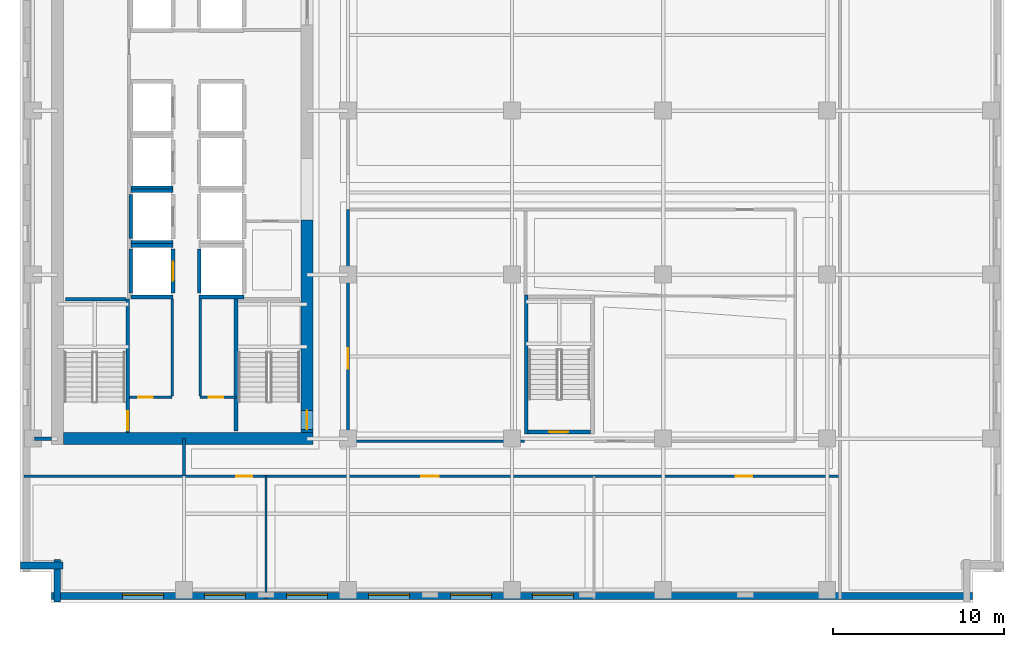
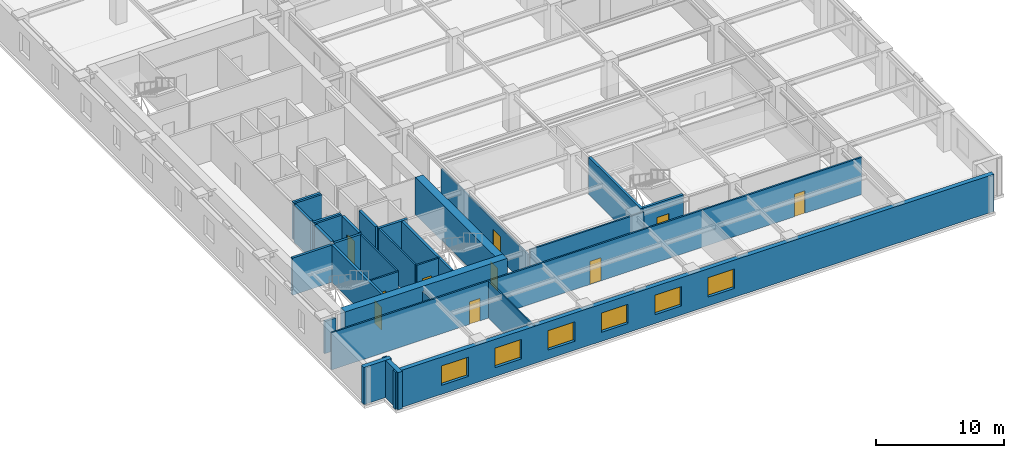
# One storey, part 3 of 12: 30 walls, 10 doors, 6 windows, 16 openings.
"""IFC4 building model written with IfcOpenShell, lengths in metres."""

from ifc_helpers import new_model, si_unit, direction, frame, frame_2d, origin, place, context, subcontext, project, spatial, rectangle, extrude, material, layer, layer_set, type_object, element, fill, save


model = new_model("IFC4")

# Units and contexts
model_context = context("Model", 3, precision=1e-05, world=origin(), true_north=direction((0.0, 1.0)))
body_context = subcontext(model_context, "Body", "Model", "MODEL_VIEW")
ifc_project = project(units=[si_unit("LENGTHUNIT", "METRE"), si_unit("AREAUNIT", "SQUARE_METRE"), si_unit("VOLUMEUNIT", "CUBIC_METRE"), si_unit("PLANEANGLEUNIT", "RADIAN"), si_unit("MASSUNIT", "GRAM", prefix="KILO")], contexts=[model_context])

# Site, building, storey
site_placement = place(None, origin())
site = spatial("IfcSite", under=ifc_project, at=site_placement, CompositionType="ELEMENT")
building_placement = place(site_placement, origin())
building = spatial("IfcBuilding", under=site, at=building_placement, Name="Norrvale University Quadrangle", CompositionType="ELEMENT")
storey_placement = place(building_placement, frame((0.0, 0.0, 143.199951171875)))
storey = spatial("IfcBuildingStorey", under=building, at=storey_placement, Name="L36", CompositionType="ELEMENT", Elevation=143.199951171875)

# Wall
ifc_material_1 = material(Name="Concrete C60/75", Category="concrete")
ifc_layer_1 = layer(ifc_material_1, 0.699951171875, Name="Concrete C60/75")
ifc_layer_set_1 = layer_set([ifc_layer_1], Name="Concrete C60/75")
wall_type_1 = type_object("IfcWallType", Name="Wall Core 700", PredefinedType="SHEAR", material=ifc_layer_set_1)
wall_1_placement = place(storey_placement, frame((2.550048828125, 9.60009765625, 0.0), z_axis=(0.0, 0.0, 1.0), x_axis=(1.0, 0.0, 0.0)))
element("IfcWall", 1, at=wall_1_placement, inside=storey, type_object=wall_type_1, Name="Tower Core Shear Wall L36-S", PredefinedType="SHEAR", context=body_context, shape_type="SweptSolid", body=[
    extrude(rectangle(XDim=14.599853515625, YDim=0.699951171875, at=frame_2d((7.2998046875, 0.0))), origin(), (0.0, 0.0, 1.0), 3.5400390625),
])

# Wall, opening, door
wall_2_placement = place(storey_placement, frame((16.800048828125, 9.949951171875, 0.0), z_axis=(0.0, 0.0, 1.0), x_axis=(0.0, 1.0, 0.0)))
wall_2 = element("IfcWall", 2, at=wall_2_placement, inside=storey, type_object=wall_type_1, Name="Tower Core Shear Wall L36-E1", PredefinedType="SHEAR", context=body_context, shape_type="SweptSolid", body=[
    extrude(rectangle(XDim=12.449951171875, YDim=0.699951171875, at=frame_2d((6.22509765625, 0.0))), origin(), (0.0, 0.0, 1.0), 3.5400390625),
])
opening_1_placement = place(wall_2_placement, frame((0.18994140625, 0.0, 0.0)))
opening_1 = element("IfcOpeningElement", 3, at=opening_1_placement, cuts=wall_2, Name="Opening D02", PredefinedType="OPENING", context=body_context, shape_type="SweptSolid", body=[
    extrude(rectangle(XDim=1.10009765625, YDim=2.199951171875, at=frame_2d((0.550048828125, 1.10009765625))), frame((0.0, 0.362060546875, 0.0), z_axis=(0.0, -1.0, 0.0), x_axis=(1.0, 0.0, 0.0)), (0.0, 0.0, 1.0), 0.723876953125),
])
ifc_material_2 = material(Name="Hollow Steel 350W Fire Door", Category="steel")
door_type_1 = type_object("IfcDoorType", Name="Door Stair Exit 1100x2200", OperationType="NOTDEFINED", PredefinedType="DOOR", material=ifc_material_2)
door_1_placement = place(opening_1_placement, origin())
door_1 = element("IfcDoor", 4, at=door_1_placement, inside=storey, type_object=door_type_1, Name="Door Stair Exit 1100x2200 DR-L36-ST03", OperationType="SINGLE_SWING_LEFT", OverallHeight=2.199951171875, OverallWidth=1.10009765625, PredefinedType="DOOR", context=body_context, shape_type="SweptSolid", body=[
    extrude(rectangle(XDim=1.10009765625, YDim=2.199951171875, at=frame_2d((0.550048828125, 1.10009765625))), frame((0.0, 0.02490234375, 0.0), z_axis=(0.0, -1.0, 0.0), x_axis=(1.0, 0.0, 0.0)), (0.0, 0.0, 1.0), 0.050048828125),
])
fill(opening_1, door_1)

# Wall
ifc_material_3 = material(Name="Standard Academic Gypsum Partition")
ifc_layer_2 = layer(ifc_material_3, 0.125, Name="Standard Academic Gypsum Partition")
ifc_layer_set_2 = layer_set([ifc_layer_2], Name="Standard Academic Gypsum Partition")
wall_type_2 = type_object("IfcWallType", Name="Wall Gypsum Academic 125", PredefinedType="PARTITIONING", material=ifc_layer_set_2)
wall_3_placement = place(storey_placement, frame((14.39990234375, 0.219970703125, 0.0), z_axis=(0.0, 0.0, 1.0), x_axis=(0.0, 1.0, 0.0)))
element("IfcWall", 5, at=wall_3_placement, inside=storey, type_object=wall_type_2, Name="Interior Partition WL-L36-SP01", PredefinedType="PARTITIONING", context=body_context, shape_type="SweptSolid", body=[
    extrude(rectangle(XDim=7.179931640625, YDim=0.125, at=frame_2d((3.58984375, 0.0))), origin(), (0.0, 0.0, 1.0), 3.5400390625),
])

# Wall, opening, door
ifc_material_4 = material(Name="Fire-Rated Gypsum Stud Partition")
ifc_layer_3 = layer(ifc_material_4, 0.14990234375, Name="Fire-Rated Gypsum Stud Partition")
ifc_layer_set_3 = layer_set([ifc_layer_3], Name="Fire-Rated Gypsum Stud Partition")
wall_type_3 = type_object("IfcWallType", Name="Wall Gypsum Corridor 150", PredefinedType="PARTITIONING", material=ifc_layer_set_3)
wall_4_placement = place(storey_placement, frame((6.419921875, 12.02001953125, 0.0), z_axis=(0.0, 0.0, 1.0), x_axis=(1.0, 0.0, 0.0)))
wall_4 = element("IfcWall", 6, at=wall_4_placement, inside=storey, type_object=wall_type_3, Name="Interior Partition WL-L36-SC-NL", PredefinedType="PARTITIONING", context=body_context, shape_type="SweptSolid", body=[
    extrude(rectangle(XDim=2.47998046875, YDim=0.14990234375, at=frame_2d((1.239990234375, 0.0))), origin(), (0.0, 0.0, 1.0), 3.5400390625),
])
opening_2_placement = place(wall_4_placement, frame((0.5, 0.0, 0.0)))
opening_2 = element("IfcOpeningElement", 7, at=opening_2_placement, cuts=wall_4, Name="Opening D10", PredefinedType="OPENING", context=body_context, shape_type="SweptSolid", body=[
    extrude(rectangle(XDim=0.85009765625, YDim=2.10009765625, at=frame_2d((0.425048828125, 1.050048828125))), frame((0.0, 0.0869140625, 0.0), z_axis=(0.0, -1.0, 0.0), x_axis=(1.0, 0.0, 0.0)), (0.0, 0.0, 1.0), 0.173828125),
])
ifc_material_5 = material(Name="Hollow Steel 350W Riser Fire Door", Category="steel")
door_type_2 = type_object("IfcDoorType", Name="Door Riser 850x2100", OperationType="NOTDEFINED", PredefinedType="DOOR", material=ifc_material_5)
door_2_placement = place(opening_2_placement, origin())
door_2 = element("IfcDoor", 8, at=door_2_placement, inside=storey, type_object=door_type_2, Name="Door Riser 850x2100 DR-L36-ELEC", OperationType="SINGLE_SWING_LEFT", OverallHeight=2.10009765625, OverallWidth=0.85009765625, PredefinedType="DOOR", context=body_context, shape_type="SweptSolid", body=[
    extrude(rectangle(XDim=0.85009765625, YDim=2.10009765625, at=frame_2d((0.425048828125, 1.050048828125))), frame((0.0, 0.02490234375, 0.0), z_axis=(0.0, -1.0, 0.0), x_axis=(1.0, 0.0, 0.0)), (0.0, 0.0, 1.0), 0.050048828125),
])
fill(opening_2, door_2)

wall_5_placement = place(storey_placement, frame((10.550048828125, 12.02001953125, 0.0), z_axis=(0.0, 0.0, 1.0), x_axis=(1.0, 0.0, 0.0)))
wall_5 = element("IfcWall", 9, at=wall_5_placement, inside=storey, type_object=wall_type_3, Name="Interior Partition WL-L36-SC-NR", PredefinedType="PARTITIONING", context=body_context, shape_type="SweptSolid", body=[
    extrude(rectangle(XDim=2.079833984375, YDim=0.14990234375, at=frame_2d((1.0400390625, 0.0))), origin(), (0.0, 0.0, 1.0), 3.5400390625),
])
opening_3_placement = place(wall_5_placement, frame((0.5, 0.0, 0.0)))
opening_3 = element("IfcOpeningElement", 10, at=opening_3_placement, cuts=wall_5, Name="Opening D10", PredefinedType="OPENING", context=body_context, shape_type="SweptSolid", body=[
    extrude(rectangle(XDim=0.85009765625, YDim=2.10009765625, at=frame_2d((0.425048828125, 1.050048828125))), frame((0.0, 0.0869140625, 0.0), z_axis=(0.0, -1.0, 0.0), x_axis=(1.0, 0.0, 0.0)), (0.0, 0.0, 1.0), 0.173828125),
])
door_3_placement = place(opening_3_placement, origin())
door_3 = element("IfcDoor", 11, at=door_3_placement, inside=storey, type_object=door_type_2, Name="Door Riser 850x2100 DR-L36-IDF", OperationType="SINGLE_SWING_RIGHT", OverallHeight=2.10009765625, OverallWidth=0.85009765625, PredefinedType="DOOR", context=body_context, shape_type="SweptSolid", body=[
    extrude(rectangle(XDim=0.85009765625, YDim=2.10009765625, at=frame_2d((0.425048828125, 1.050048828125))), frame((0.0, 0.02490234375, 0.0), z_axis=(0.0, -1.0, 0.0), x_axis=(1.0, 0.0, 0.0)), (0.0, 0.0, 1.0), 0.050048828125),
])
fill(opening_3, door_3)

# Walls
for number, where, z_axis, x_axis, name in (
    (12, (8.89990234375, 12.094970703125, 0.0), (0.0, 0.0, 1.0), (0.0, 1.0, 0.0), "Interior Partition WL-L36-SC-WL"),
    (13, (10.550048828125, 12.094970703125, 0.0), (0.0, 0.0, 1.0), (0.0, 1.0, 0.0), "Interior Partition WL-L36-SC-WR"),
):
    element("IfcWall", number, at=place(storey_placement, frame(where, z_axis=z_axis, x_axis=x_axis)), inside=storey, type_object=wall_type_3, Name=name, PredefinedType="PARTITIONING", context=body_context, shape_type="SweptSolid", body=[
        extrude(rectangle(XDim=5.679931640625, YDim=0.14990234375, at=frame_2d((2.83984375, 0.0))), origin(), (0.0, 0.0, 1.0), 3.5400390625),
    ])
wall_6_placement = place(storey_placement, frame((9.60009765625, 7.39990234375, 0.0), z_axis=(0.0, 0.0, 1.0), x_axis=(0.0, 1.0, 0.0)))
element("IfcWall", 14, at=wall_6_placement, inside=storey, type_object=wall_type_3, Name="Interior Partition WL-L36-CSW-END", PredefinedType="PARTITIONING", context=body_context, shape_type="SweptSolid", body=[
    extrude(rectangle(XDim=2.2001953125, YDim=0.14990234375, at=frame_2d((1.10009765625, 0.0))), origin(), (0.0, 0.0, 1.0), 3.071044921875),
])

# Wall, openings, doors
wall_7_placement = place(storey_placement, frame((0.219970703125, 7.39990234375, 0.0), z_axis=(0.0, 0.0, 1.0), x_axis=(1.0, 0.0, 0.0)))
wall_7 = element("IfcWall", 15, at=wall_7_placement, inside=storey, type_object=wall_type_3, Name="Interior Partition WL-L36-SCW", PredefinedType="PARTITIONING", context=body_context, shape_type="SweptSolid", body=[
    extrude(rectangle(XDim=47.780029296875, YDim=0.14990234375, at=frame_2d((23.89013671875, 0.0))), origin(), (0.0, 0.0, 1.0), 3.5400390625),
])
opening_4_placement = place(wall_7_placement, frame((12.429931640625, 0.0, 0.0)))
opening_4 = element("IfcOpeningElement", 16, at=opening_4_placement, cuts=wall_7, Name="Opening D07", PredefinedType="OPENING", context=body_context, shape_type="SweptSolid", body=[
    extrude(rectangle(XDim=0.949951171875, YDim=2.14990234375, at=frame_2d((0.47509765625, 1.074951171875))), frame((0.0, 0.0869140625, 0.0), z_axis=(0.0, -1.0, 0.0), x_axis=(1.0, 0.0, 0.0)), (0.0, 0.0, 1.0), 0.173828125),
])
opening_5_placement = place(wall_7_placement, frame((23.280029296875, 0.0, 0.0)))
opening_5 = element("IfcOpeningElement", 17, at=opening_5_placement, cuts=wall_7, Name="Opening D04", PredefinedType="OPENING", context=body_context, shape_type="SweptSolid", body=[
    extrude(rectangle(XDim=1.0, YDim=2.199951171875, at=frame_2d((0.5, 1.10009765625))), frame((0.0, 0.0869140625, 0.0), z_axis=(0.0, -1.0, 0.0), x_axis=(1.0, 0.0, 0.0)), (0.0, 0.0, 1.0), 0.173828125),
])
opening_6_placement = place(wall_7_placement, frame((41.679931640625, 0.0, 0.0)))
opening_6 = element("IfcOpeningElement", 18, at=opening_6_placement, cuts=wall_7, Name="Opening D07", PredefinedType="OPENING", context=body_context, shape_type="SweptSolid", body=[
    extrude(rectangle(XDim=0.949951171875, YDim=2.14990234375, at=frame_2d((0.47509765625, 1.074951171875))), frame((0.0, 0.0869140625, 0.0), z_axis=(0.0, -1.0, 0.0), x_axis=(1.0, 0.0, 0.0)), (0.0, 0.0, 1.0), 0.173828125),
])
ifc_material_6 = material(Name="Solid-Core Oak Fire Door", Category="wood")
door_type_3 = type_object("IfcDoorType", Name="Door Corridor 1000x2200", OperationType="NOTDEFINED", PredefinedType="DOOR", material=ifc_material_6)
door_4_placement = place(opening_5_placement, origin())
door_4 = element("IfcDoor", 19, at=door_4_placement, inside=storey, type_object=door_type_3, Name="Door Corridor 1000x2200 DR-L36-S02", OperationType="SINGLE_SWING_RIGHT", OverallHeight=2.199951171875, OverallWidth=1.0, PredefinedType="DOOR", context=body_context, shape_type="SweptSolid", body=[
    extrude(rectangle(XDim=1.0, YDim=2.199951171875, at=frame_2d((0.5, 1.10009765625))), frame((0.0, 0.02490234375, 0.0), z_axis=(0.0, -1.0, 0.0), x_axis=(1.0, 0.0, 0.0)), (0.0, 0.0, 1.0), 0.050048828125),
])
fill(opening_5, door_4)
ifc_material_7 = material(Name="Solid-Core Maple Door", Category="wood")
door_type_4 = type_object("IfcDoorType", Name="Door Office 950x2150", OperationType="NOTDEFINED", PredefinedType="DOOR", material=ifc_material_7)
door_5_placement = place(opening_4_placement, origin())
door_5 = element("IfcDoor", 20, at=door_5_placement, inside=storey, type_object=door_type_4, Name="Door Office 950x2150 DR-L36-S01", OperationType="SINGLE_SWING_LEFT", OverallHeight=2.14990234375, OverallWidth=0.949951171875, PredefinedType="DOOR", context=body_context, shape_type="SweptSolid", body=[
    extrude(rectangle(XDim=0.949951171875, YDim=2.14990234375, at=frame_2d((0.47509765625, 1.074951171875))), frame((0.0, 0.02490234375, 0.0), z_axis=(0.0, -1.0, 0.0), x_axis=(1.0, 0.0, 0.0)), (0.0, 0.0, 1.0), 0.050048828125),
])
fill(opening_4, door_5)
door_6_placement = place(opening_6_placement, origin())
door_6 = element("IfcDoor", 21, at=door_6_placement, inside=storey, type_object=door_type_4, Name="Door Office 950x2150 DR-L36-S03", OperationType="SINGLE_SWING_LEFT", OverallHeight=2.14990234375, OverallWidth=0.949951171875, PredefinedType="DOOR", context=body_context, shape_type="SweptSolid", body=[
    extrude(rectangle(XDim=0.949951171875, YDim=2.14990234375, at=frame_2d((0.47509765625, 1.074951171875))), frame((0.0, 0.02490234375, 0.0), z_axis=(0.0, -1.0, 0.0), x_axis=(1.0, 0.0, 0.0)), (0.0, 0.0, 1.0), 0.050048828125),
])
fill(opening_6, door_6)

# Wall, opening, door
wall_8_placement = place(storey_placement, frame((19.199951171875, 9.449951171875, 0.0), z_axis=(0.0, 0.0, 1.0), x_axis=(0.0, 1.0, 0.0)))
wall_8 = element("IfcWall", 22, at=wall_8_placement, inside=storey, type_object=wall_type_3, Name="Interior Partition WL-L36-ISLW", PredefinedType="PARTITIONING", context=body_context, shape_type="SweptSolid", body=[
    extrude(rectangle(XDim=13.550048828125, YDim=0.14990234375, at=frame_2d((6.77490234375, 0.0))), origin(), (0.0, 0.0, 1.0), 3.071044921875),
])
opening_7_placement = place(wall_8_placement, frame((4.25, 0.0, 0.0)))
opening_7 = element("IfcOpeningElement", 23, at=opening_7_placement, cuts=wall_8, Name="Opening D05", PredefinedType="OPENING", context=body_context, shape_type="SweptSolid", body=[
    extrude(rectangle(XDim=1.199951171875, YDim=2.199951171875, at=frame_2d((0.60009765625, 1.10009765625))), frame((0.0, 0.0869140625, 0.0), z_axis=(0.0, -1.0, 0.0), x_axis=(1.0, 0.0, 0.0)), (0.0, 0.0, 1.0), 0.173828125),
])
ifc_material_8 = material(Name="Acoustic Oak Classroom Door", Category="wood")
door_type_5 = type_object("IfcDoorType", Name="Door Classroom 1200x2200", OperationType="NOTDEFINED", PredefinedType="DOOR", material=ifc_material_8)
door_7_placement = place(opening_7_placement, origin())
door_7 = element("IfcDoor", 24, at=door_7_placement, inside=storey, type_object=door_type_5, Name="Door Classroom 1200x2200 DR-L36-IW1", OperationType="SINGLE_SWING_LEFT", OverallHeight=2.199951171875, OverallWidth=1.199951171875, PredefinedType="DOOR", context=body_context, shape_type="SweptSolid", body=[
    extrude(rectangle(XDim=1.199951171875, YDim=2.199951171875, at=frame_2d((0.60009765625, 1.10009765625))), frame((0.0, 0.02490234375, 0.0), z_axis=(0.0, -1.0, 0.0), x_axis=(1.0, 0.0, 0.0)), (0.0, 0.0, 1.0), 0.050048828125),
])
fill(opening_7, door_7)

# Walls
wall_9_placement = place(storey_placement, frame((19.280029296875, 9.449951171875, 0.0), z_axis=(0.0, 0.0, 1.0), x_axis=(1.0, 0.0, 0.0)))
element("IfcWall", 25, at=wall_9_placement, inside=storey, type_object=wall_type_3, Name="Interior Partition WL-L36-ISLS1", PredefinedType="PARTITIONING", context=body_context, shape_type="SweptSolid", body=[
    extrude(rectangle(XDim=10.244873046875, YDim=0.14990234375, at=frame_2d((5.12255859375, 0.0))), origin(), (0.0, 0.0, 1.0), 3.5400390625),
])
ifc_material_9 = material(Name="Concrete Blockwork 20 MPa Rated Wall", Category="masonry")
ifc_layer_4 = layer(ifc_material_9, 0.199951171875, Name="Concrete Blockwork 20 MPa Rated Wall")
ifc_layer_set_4 = layer_set([ifc_layer_4], Name="Concrete Blockwork 20 MPa Rated Wall")
wall_type_4 = type_object("IfcWallType", Name="Wall Lobby 200", PredefinedType="SOLIDWALL", material=ifc_layer_set_4)
wall_10_placement = place(storey_placement, frame((0.85009765625, 9.60009765625, 0.0), z_axis=(0.0, 0.0, 1.0), x_axis=(1.0, 0.0, 0.0)))
element("IfcWall", 26, at=wall_10_placement, inside=storey, type_object=wall_type_4, Name="Interior Partition WL-L36-CWRET-S", PredefinedType="SOLIDWALL", context=body_context, shape_type="SweptSolid", body=[
    extrude(rectangle(XDim=0.994873046875, YDim=0.199951171875, at=frame_2d((0.49755859375, 0.0))), origin(), (0.0, 0.0, 1.0), 3.071044921875),
])

# Wall, openings, windows
ifc_material_10 = material(Name="Red Manganese Brick Masonry", Category="masonry")
ifc_layer_5 = layer(ifc_material_10, 0.39990234375, Name="Red Manganese Brick Masonry")
ifc_layer_set_5 = layer_set([ifc_layer_5], Name="Red Manganese Brick Masonry")
wall_type_5 = type_object("IfcWallType", Name="Wall Red Brick 400", PredefinedType="SOLIDWALL", material=ifc_layer_set_5)
wall_11_placement = place(storey_placement, frame((1.840087890625, 0.3798828125, 0.0), z_axis=(0.0, 0.0, 1.0), x_axis=(1.0, 0.0, 0.0)))
wall_11 = element("IfcWall", 27, at=wall_11_placement, inside=storey, type_object=wall_type_5, Name="Exterior Brick Facade Wall L36-01.1", PredefinedType="SOLIDWALL", context=body_context, shape_type="SweptSolid", body=[
    extrude(rectangle(XDim=53.919921875, YDim=0.39990234375, at=frame_2d((26.9599609375, 0.0))), origin(), (0.0, 0.0, 1.0), 3.5400390625),
])
opening_8_placement = place(wall_11_placement, frame((4.159912109375, 0.0, 0.85009765625)))
opening_8 = element("IfcOpeningElement", 28, at=opening_8_placement, cuts=wall_11, Name="Opening W02", PredefinedType="OPENING", context=body_context, shape_type="SweptSolid", body=[
    extrude(rectangle(XDim=2.39990234375, YDim=1.85009765625, at=frame_2d((1.199951171875, 0.925048828125))), frame((0.0, 0.2119140625, 0.0), z_axis=(0.0, -1.0, 0.0), x_axis=(1.0, 0.0, 0.0)), (0.0, 0.0, 1.0), 0.423828125),
])
opening_9_placement = place(wall_11_placement, frame((8.9599609375, 0.0, 0.85009765625)))
opening_9 = element("IfcOpeningElement", 29, at=opening_9_placement, cuts=wall_11, Name="Opening W02", PredefinedType="OPENING", context=body_context, shape_type="SweptSolid", body=[
    extrude(rectangle(XDim=2.39990234375, YDim=1.85009765625, at=frame_2d((1.199951171875, 0.925048828125))), frame((0.0, 0.2119140625, 0.0), z_axis=(0.0, -1.0, 0.0), x_axis=(1.0, 0.0, 0.0)), (0.0, 0.0, 1.0), 0.423828125),
])
opening_10_placement = place(wall_11_placement, frame((13.760009765625, 0.0, 0.85009765625)))
opening_10 = element("IfcOpeningElement", 30, at=opening_10_placement, cuts=wall_11, Name="Opening W02", PredefinedType="OPENING", context=body_context, shape_type="SweptSolid", body=[
    extrude(rectangle(XDim=2.39990234375, YDim=1.85009765625, at=frame_2d((1.199951171875, 0.925048828125))), frame((0.0, 0.2119140625, 0.0), z_axis=(0.0, -1.0, 0.0), x_axis=(1.0, 0.0, 0.0)), (0.0, 0.0, 1.0), 0.423828125),
])
opening_11_placement = place(wall_11_placement, frame((18.56005859375, 0.0, 0.85009765625)))
opening_11 = element("IfcOpeningElement", 31, at=opening_11_placement, cuts=wall_11, Name="Opening W02", PredefinedType="OPENING", context=body_context, shape_type="SweptSolid", body=[
    extrude(rectangle(XDim=2.39990234375, YDim=1.85009765625, at=frame_2d((1.199951171875, 0.925048828125))), frame((0.0, 0.2119140625, 0.0), z_axis=(0.0, -1.0, 0.0), x_axis=(1.0, 0.0, 0.0)), (0.0, 0.0, 1.0), 0.423828125),
])
opening_12_placement = place(wall_11_placement, frame((23.360107421875, 0.0, 0.85009765625)))
opening_12 = element("IfcOpeningElement", 32, at=opening_12_placement, cuts=wall_11, Name="Opening W02", PredefinedType="OPENING", context=body_context, shape_type="SweptSolid", body=[
    extrude(rectangle(XDim=2.39990234375, YDim=1.85009765625, at=frame_2d((1.199951171875, 0.925048828125))), frame((0.0, 0.2119140625, 0.0), z_axis=(0.0, -1.0, 0.0), x_axis=(1.0, 0.0, 0.0)), (0.0, 0.0, 1.0), 0.423828125),
])
opening_13_placement = place(wall_11_placement, frame((28.159912109375, 0.0, 0.85009765625)))
opening_13 = element("IfcOpeningElement", 33, at=opening_13_placement, cuts=wall_11, Name="Opening W02", PredefinedType="OPENING", context=body_context, shape_type="SweptSolid", body=[
    extrude(rectangle(XDim=2.39990234375, YDim=1.85009765625, at=frame_2d((1.199951171875, 0.925048828125))), frame((0.0, 0.2119140625, 0.0), z_axis=(0.0, -1.0, 0.0), x_axis=(1.0, 0.0, 0.0)), (0.0, 0.0, 1.0), 0.423828125),
])
ifc_material_11 = material(Name="Triple Low-E Argon Glazing", Category="glass")
window_type = type_object("IfcWindowType", Name="Window Academic 2400x2300", PartitioningType="TRIPLE_PANEL_VERTICAL", PredefinedType="WINDOW", material=ifc_material_11)
window_1_placement = place(opening_8_placement, origin())
window_1 = element("IfcWindow", 34, at=window_1_placement, inside=storey, type_object=window_type, Name="Window Academic 2400x2300 WIN-L36-E01-1-01", OverallHeight=1.85009765625, OverallWidth=2.39990234375, PartitioningType="TRIPLE_PANEL_VERTICAL", PredefinedType="WINDOW", context=body_context, shape_type="SweptSolid", body=[
    extrude(rectangle(XDim=2.39990234375, YDim=1.85009765625, at=frame_2d((1.199951171875, 0.925048828125))), frame((0.0, 0.110107421875, 0.0), z_axis=(0.0, -1.0, 0.0), x_axis=(1.0, 0.0, 0.0)), (0.0, 0.0, 1.0), 0.06005859375),
])
fill(opening_8, window_1)
window_2_placement = place(opening_9_placement, origin())
window_2 = element("IfcWindow", 35, at=window_2_placement, inside=storey, type_object=window_type, Name="Window Academic 2400x2300 WIN-L36-E01-1-02", OverallHeight=1.85009765625, OverallWidth=2.39990234375, PartitioningType="TRIPLE_PANEL_VERTICAL", PredefinedType="WINDOW", context=body_context, shape_type="SweptSolid", body=[
    extrude(rectangle(XDim=2.39990234375, YDim=1.85009765625, at=frame_2d((1.199951171875, 0.925048828125))), frame((0.0, 0.110107421875, 0.0), z_axis=(0.0, -1.0, 0.0), x_axis=(1.0, 0.0, 0.0)), (0.0, 0.0, 1.0), 0.06005859375),
])
fill(opening_9, window_2)
window_3_placement = place(opening_10_placement, origin())
window_3 = element("IfcWindow", 36, at=window_3_placement, inside=storey, type_object=window_type, Name="Window Academic 2400x2300 WIN-L36-E01-1-03", OverallHeight=1.85009765625, OverallWidth=2.39990234375, PartitioningType="TRIPLE_PANEL_VERTICAL", PredefinedType="WINDOW", context=body_context, shape_type="SweptSolid", body=[
    extrude(rectangle(XDim=2.39990234375, YDim=1.85009765625, at=frame_2d((1.199951171875, 0.925048828125))), frame((0.0, 0.110107421875, 0.0), z_axis=(0.0, -1.0, 0.0), x_axis=(1.0, 0.0, 0.0)), (0.0, 0.0, 1.0), 0.06005859375),
])
fill(opening_10, window_3)
window_4_placement = place(opening_11_placement, origin())
window_4 = element("IfcWindow", 37, at=window_4_placement, inside=storey, type_object=window_type, Name="Window Academic 2400x2300 WIN-L36-E01-1-04", OverallHeight=1.85009765625, OverallWidth=2.39990234375, PartitioningType="TRIPLE_PANEL_VERTICAL", PredefinedType="WINDOW", context=body_context, shape_type="SweptSolid", body=[
    extrude(rectangle(XDim=2.39990234375, YDim=1.85009765625, at=frame_2d((1.199951171875, 0.925048828125))), frame((0.0, 0.110107421875, 0.0), z_axis=(0.0, -1.0, 0.0), x_axis=(1.0, 0.0, 0.0)), (0.0, 0.0, 1.0), 0.06005859375),
])
fill(opening_11, window_4)
window_5_placement = place(opening_12_placement, origin())
window_5 = element("IfcWindow", 38, at=window_5_placement, inside=storey, type_object=window_type, Name="Window Academic 2400x2300 WIN-L36-E01-1-05", OverallHeight=1.85009765625, OverallWidth=2.39990234375, PartitioningType="TRIPLE_PANEL_VERTICAL", PredefinedType="WINDOW", context=body_context, shape_type="SweptSolid", body=[
    extrude(rectangle(XDim=2.39990234375, YDim=1.85009765625, at=frame_2d((1.199951171875, 0.925048828125))), frame((0.0, 0.110107421875, 0.0), z_axis=(0.0, -1.0, 0.0), x_axis=(1.0, 0.0, 0.0)), (0.0, 0.0, 1.0), 0.06005859375),
])
fill(opening_12, window_5)
window_6_placement = place(opening_13_placement, origin())
window_6 = element("IfcWindow", 39, at=window_6_placement, inside=storey, type_object=window_type, Name="Window Academic 2400x2300 WIN-L36-E01-1-06", OverallHeight=1.85009765625, OverallWidth=2.39990234375, PartitioningType="TRIPLE_PANEL_VERTICAL", PredefinedType="WINDOW", context=body_context, shape_type="SweptSolid", body=[
    extrude(rectangle(XDim=2.39990234375, YDim=1.85009765625, at=frame_2d((1.199951171875, 0.925048828125))), frame((0.0, 0.110107421875, 0.0), z_axis=(0.0, -1.0, 0.0), x_axis=(1.0, 0.0, 0.0)), (0.0, 0.0, 1.0), 0.06005859375),
])
fill(opening_13, window_6)

# Walls
for number, where, z_axis, x_axis, name in (
    (40, (0.0400390625, 2.179931640625, 0.0), (0.0, 0.0, 1.0), (1.0, 0.0, 0.0), "Exterior Brick Facade Wall L36-15.1"),
    (41, (2.179931640625, 2.52001953125, 0.0), (0.0, 0.0, 1.0), (0.0, -1.0, 0.0), "Exterior Brick Facade Wall L36-16.1"),
):
    element("IfcWall", number, at=place(storey_placement, frame(where, z_axis=z_axis, x_axis=x_axis)), inside=storey, type_object=wall_type_5, Name=name, PredefinedType="SOLIDWALL", context=body_context, shape_type="SweptSolid", body=[
        extrude(rectangle(XDim=2.47998046875, YDim=0.39990234375, at=frame_2d((1.239990234375, 0.0))), origin(), (0.0, 0.0, 1.0), 3.5400390625),
    ])

# Wall, opening, door
ifc_material_12 = material(Name="Concrete Blockwork 20 MPa Fire Shaft", Category="masonry")
ifc_layer_6 = layer(ifc_material_12, 0.219970703125, Name="Concrete Blockwork 20 MPa Fire Shaft")
ifc_layer_set_6 = layer_set([ifc_layer_6], Name="Concrete Blockwork 20 MPa Fire Shaft")
wall_type_6 = type_object("IfcWallType", Name="Wall Shaft 220", PredefinedType="SOLIDWALL", material=ifc_layer_set_6)
wall_12_placement = place(storey_placement, frame((6.31005859375, 9.949951171875, 0.0), z_axis=(0.0, 0.0, 1.0), x_axis=(0.0, 1.0, 0.0)))
wall_12 = element("IfcWall", 42, at=wall_12_placement, inside=storey, type_object=wall_type_6, Name="Stair ST-01 East Shaft Wall L36", PredefinedType="SOLIDWALL", context=body_context, shape_type="SweptSolid", body=[
    extrude(rectangle(XDim=7.81005859375, YDim=0.219970703125, at=frame_2d((3.905029296875, 0.0))), origin(), (0.0, 0.0, 1.0), 3.5400390625),
])
opening_14_placement = place(wall_12_placement, frame((0.139892578125, 0.0, 0.0)))
opening_14 = element("IfcOpeningElement", 43, at=opening_14_placement, cuts=wall_12, Name="Opening D02", PredefinedType="OPENING", context=body_context, shape_type="SweptSolid", body=[
    extrude(rectangle(XDim=1.10009765625, YDim=2.199951171875, at=frame_2d((0.550048828125, 1.10009765625))), frame((0.0, 0.1220703125, 0.0), z_axis=(0.0, -1.0, 0.0), x_axis=(1.0, 0.0, 0.0)), (0.0, 0.0, 1.0), 0.243896484375),
])
door_8_placement = place(opening_14_placement, origin())
door_8 = element("IfcDoor", 44, at=door_8_placement, inside=storey, type_object=door_type_1, Name="Door Stair Exit 1100x2200 DR-L36-ST01", OperationType="SINGLE_SWING_LEFT", OverallHeight=2.199951171875, OverallWidth=1.10009765625, PredefinedType="DOOR", context=body_context, shape_type="SweptSolid", body=[
    extrude(rectangle(XDim=1.10009765625, YDim=2.199951171875, at=frame_2d((0.550048828125, 1.10009765625))), frame((0.0, 0.02490234375, 0.0), z_axis=(0.0, -1.0, 0.0), x_axis=(1.0, 0.0, 0.0)), (0.0, 0.0, 1.0), 0.050048828125),
])
fill(opening_14, door_8)

# Walls
wall_13_placement = place(storey_placement, frame((2.64990234375, 17.760009765625, 0.0), z_axis=(0.0, 0.0, 1.0), x_axis=(1.0, 0.0, 0.0)))
element("IfcWall", 45, at=wall_13_placement, inside=storey, type_object=wall_type_6, Name="Stair ST-01 North Shaft Wall L36", PredefinedType="SOLIDWALL", context=body_context, shape_type="SweptSolid", body=[
    extrude(rectangle(XDim=3.550048828125, YDim=0.219970703125, at=frame_2d((1.77490234375, 0.0))), origin(), (0.0, 0.0, 1.0), 3.5400390625),
])
wall_14_placement = place(storey_placement, frame((12.639892578125, 10.050048828125, 0.0), z_axis=(0.0, 0.0, 1.0), x_axis=(0.0, 1.0, 0.0)))
element("IfcWall", 46, at=wall_14_placement, inside=storey, type_object=wall_type_6, Name="Stair ST-03 West Shaft Wall L36", PredefinedType="SOLIDWALL", context=body_context, shape_type="SweptSolid", body=[
    extrude(rectangle(XDim=7.7099609375, YDim=0.219970703125, at=frame_2d((3.85498046875, 0.0))), origin(), (0.0, 0.0, 1.0), 3.5400390625),
])

# Wall, opening, door
wall_15_placement = place(storey_placement, frame((29.75, 9.989990234375, 0.0), z_axis=(0.0, 0.0, 1.0), x_axis=(1.0, 0.0, 0.0)))
wall_15 = element("IfcWall", 47, at=wall_15_placement, inside=storey, type_object=wall_type_6, Name="Stair ST-04 South Shaft Wall L36", PredefinedType="SOLIDWALL", context=body_context, shape_type="SweptSolid", body=[
    extrude(rectangle(XDim=3.64990234375, YDim=0.219970703125, at=frame_2d((1.824951171875, 0.0))), origin(), (0.0, 0.0, 1.0), 3.5400390625),
])
opening_15_placement = place(wall_15_placement, frame((1.239990234375, 0.0, 0.0)))
opening_15 = element("IfcOpeningElement", 48, at=opening_15_placement, cuts=wall_15, Name="Opening D02", PredefinedType="OPENING", context=body_context, shape_type="SweptSolid", body=[
    extrude(rectangle(XDim=1.10009765625, YDim=2.199951171875, at=frame_2d((0.550048828125, 1.10009765625))), frame((0.0, 0.1220703125, 0.0), z_axis=(0.0, -1.0, 0.0), x_axis=(1.0, 0.0, 0.0)), (0.0, 0.0, 1.0), 0.243896484375),
])
door_9_placement = place(opening_15_placement, origin())
door_9 = element("IfcDoor", 49, at=door_9_placement, inside=storey, type_object=door_type_1, Name="Door Stair Exit 1100x2200 DR-L36-ST04", OperationType="SINGLE_SWING_LEFT", OverallHeight=2.199951171875, OverallWidth=1.10009765625, PredefinedType="DOOR", context=body_context, shape_type="SweptSolid", body=[
    extrude(rectangle(XDim=1.10009765625, YDim=2.199951171875, at=frame_2d((0.550048828125, 1.10009765625))), frame((0.0, 0.02490234375, 0.0), z_axis=(0.0, -1.0, 0.0), x_axis=(1.0, 0.0, 0.0)), (0.0, 0.0, 1.0), 0.050048828125),
])
fill(opening_15, door_9)

# Walls
wall_16_placement = place(storey_placement, frame((29.639892578125, 9.8798828125, 0.0), z_axis=(0.0, 0.0, 1.0), x_axis=(0.0, 1.0, 0.0)))
element("IfcWall", 50, at=wall_16_placement, inside=storey, type_object=wall_type_6, Name="Stair ST-04 West Shaft Wall L36", PredefinedType="SOLIDWALL", context=body_context, shape_type="SweptSolid", body=[
    extrude(rectangle(XDim=8.14013671875, YDim=0.219970703125, at=frame_2d((4.070068359375, 0.0))), origin(), (0.0, 0.0, 1.0), 3.5400390625),
])
wall_17_placement = place(storey_placement, frame((6.489990234375, 18.110107421875, 0.0), z_axis=(0.0, 0.0, 1.0), x_axis=(0.0, 1.0, 0.0)))
element("IfcWall", 51, at=wall_17_placement, inside=storey, type_object=wall_type_6, Name="Hoistway PL-01 West Wall L36", PredefinedType="SOLIDWALL", context=body_context, shape_type="SweptSolid", body=[
    extrude(rectangle(XDim=2.579833984375, YDim=0.219970703125, at=frame_2d((1.2900390625, 0.0))), origin(), (0.0, 0.0, 1.0), 3.5400390625),
])

# Wall, opening, door
wall_18_placement = place(storey_placement, frame((8.9599609375, 18.110107421875, 0.0), z_axis=(0.0, 0.0, 1.0), x_axis=(0.0, 1.0, 0.0)))
wall_18 = element("IfcWall", 52, at=wall_18_placement, inside=storey, type_object=wall_type_6, Name="Hoistway PL-01 East Wall L36", PredefinedType="SOLIDWALL", context=body_context, shape_type="SweptSolid", body=[
    extrude(rectangle(XDim=2.579833984375, YDim=0.219970703125, at=frame_2d((1.2900390625, 0.0))), origin(), (0.0, 0.0, 1.0), 3.5400390625),
])
opening_16_placement = place(wall_18_placement, frame((0.739990234375, 0.0, 0.0)))
opening_16 = element("IfcOpeningElement", 53, at=opening_16_placement, cuts=wall_18, Name="Opening LD1", PredefinedType="OPENING", context=body_context, shape_type="SweptSolid", body=[
    extrude(rectangle(XDim=1.10009765625, YDim=2.199951171875, at=frame_2d((0.550048828125, 1.10009765625))), frame((0.0, 0.1220703125, 0.0), z_axis=(0.0, -1.0, 0.0), x_axis=(1.0, 0.0, 0.0)), (0.0, 0.0, 1.0), 0.243896484375),
])
ifc_material_13 = material(Name="Stainless Steel 316L Lift Landing Door", Category="steel")
door_type_6 = type_object("IfcDoorType", Name="Door Lift Landing 1100x2200", OperationType="DOUBLE_DOOR_SLIDING", PredefinedType="DOOR", material=ifc_material_13)
door_10_placement = place(opening_16_placement, origin())
door_10 = element("IfcDoor", 54, at=door_10_placement, inside=storey, type_object=door_type_6, Name="Elevator Landing Door DR-L36-PL-01", OperationType="DOUBLE_DOOR_SLIDING", OverallHeight=2.199951171875, OverallWidth=1.10009765625, PredefinedType="DOOR", context=body_context, shape_type="SweptSolid", body=[
    extrude(rectangle(XDim=1.10009765625, YDim=2.199951171875, at=frame_2d((0.550048828125, 1.10009765625))), frame((0.0, 0.02490234375, 0.0), z_axis=(0.0, -1.0, 0.0), x_axis=(1.0, 0.0, 0.0)), (0.0, 0.0, 1.0), 0.050048828125),
])
fill(opening_16, door_10)

# Walls
for number, where, z_axis, x_axis, name in (
    (55, (6.489990234375, 17.889892578125, 0.0), (0.0, 0.0, 1.0), (1.0, 0.0, 0.0), "Hoistway PL-01 South Wall L36"),
    (56, (6.489990234375, 20.909912109375, 0.0), (0.0, 0.0, 1.0), (1.0, 0.0, 0.0), "Hoistway PL-01 North Wall L36"),
):
    element("IfcWall", number, at=place(storey_placement, frame(where, z_axis=z_axis, x_axis=x_axis)), inside=storey, type_object=wall_type_6, Name=name, PredefinedType="SOLIDWALL", context=body_context, shape_type="SweptSolid", body=[
        extrude(rectangle(XDim=2.469970703125, YDim=0.219970703125, at=frame_2d((1.23486328125, 0.0))), origin(), (0.0, 0.0, 1.0), 3.5400390625),
    ])
wall_19_placement = place(storey_placement, frame((6.489990234375, 21.31005859375, 0.0), z_axis=(0.0, 0.0, 1.0), x_axis=(0.0, 1.0, 0.0)))
element("IfcWall", 57, at=wall_19_placement, inside=storey, type_object=wall_type_6, Name="Hoistway PL-02 West Wall L36", PredefinedType="SOLIDWALL", context=body_context, shape_type="SweptSolid", body=[
    extrude(rectangle(XDim=2.579833984375, YDim=0.219970703125, at=frame_2d((1.2900390625, 0.0))), origin(), (0.0, 0.0, 1.0), 3.5400390625),
])
for number, where, z_axis, x_axis, name in (
    (58, (6.489990234375, 21.090087890625, 0.0), (0.0, 0.0, 1.0), (1.0, 0.0, 0.0), "Hoistway PL-02 South Wall L36"),
    (59, (6.489990234375, 24.110107421875, 0.0), (0.0, 0.0, 1.0), (1.0, 0.0, 0.0), "Hoistway PL-02 North Wall L36"),
    (60, (6.489990234375, 24.2900390625, 0.0), (0.0, 0.0, 1.0), (1.0, 0.0, 0.0), "Hoistway PL-03 South Wall L36"),
):
    element("IfcWall", number, at=place(storey_placement, frame(where, z_axis=z_axis, x_axis=x_axis)), inside=storey, type_object=wall_type_6, Name=name, PredefinedType="SOLIDWALL", context=body_context, shape_type="SweptSolid", body=[
        extrude(rectangle(XDim=2.469970703125, YDim=0.219970703125, at=frame_2d((1.23486328125, 0.0))), origin(), (0.0, 0.0, 1.0), 3.5400390625),
    ])
wall_20_placement = place(storey_placement, frame((10.489990234375, 18.110107421875, 0.0), z_axis=(0.0, 0.0, 1.0), x_axis=(0.0, 1.0, 0.0)))
element("IfcWall", 61, at=wall_20_placement, inside=storey, type_object=wall_type_6, Name="Hoistway PL-05 West Wall L36", PredefinedType="SOLIDWALL", context=body_context, shape_type="SweptSolid", body=[
    extrude(rectangle(XDim=2.579833984375, YDim=0.219970703125, at=frame_2d((1.2900390625, 0.0))), origin(), (0.0, 0.0, 1.0), 3.5400390625),
])
wall_21_placement = place(storey_placement, frame((10.489990234375, 17.889892578125, 0.0), z_axis=(0.0, 0.0, 1.0), x_axis=(1.0, 0.0, 0.0)))
element("IfcWall", 62, at=wall_21_placement, inside=storey, type_object=wall_type_6, Name="Hoistway PL-05 South Wall L36", PredefinedType="SOLIDWALL", context=body_context, shape_type="SweptSolid", body=[
    extrude(rectangle(XDim=2.6201171875, YDim=0.219970703125, at=frame_2d((1.31005859375, 0.0))), origin(), (0.0, 0.0, 1.0), 3.5400390625),
])

save(model, "model.ifc")
